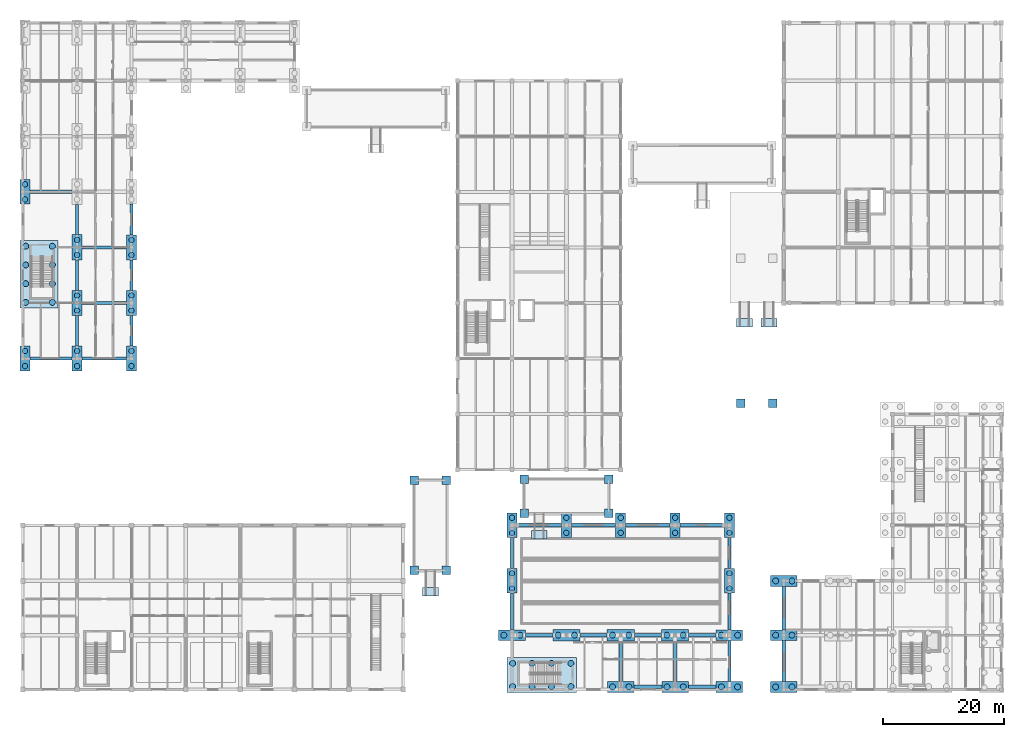
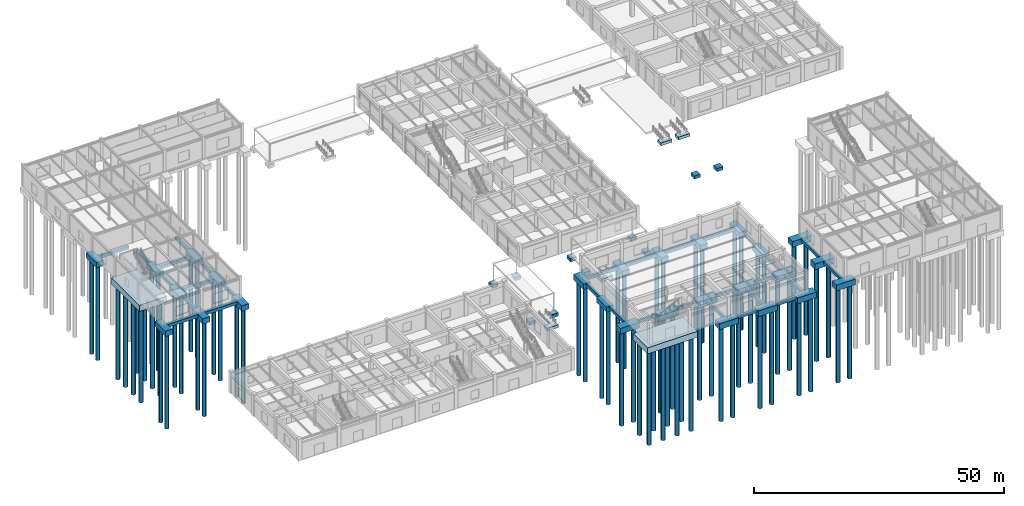
# One storey, part 1 of 76: 72 footings, 68 piles.
"""IFC4 building model written with IfcOpenShell, lengths in metres."""

from ifc_helpers import new_model, si_unit, direction, frame, origin, origin_2d, place, context, subcontext, project, spatial, rectangle, circle, extrude, material, material_profile, profile_set, type_object, element, save


model = new_model("IFC4")

# Units and contexts
model_context = context("Model", 3, precision=1e-05, world=origin(), true_north=direction((0.0, 1.0)))
body_context = subcontext(model_context, "Body", "Model", "MODEL_VIEW")
ifc_project = project(units=[si_unit("LENGTHUNIT", "METRE"), si_unit("AREAUNIT", "SQUARE_METRE"), si_unit("VOLUMEUNIT", "CUBIC_METRE"), si_unit("PLANEANGLEUNIT", "RADIAN"), si_unit("MASSUNIT", "GRAM", prefix="KILO")], contexts=[model_context])

# Site, building, storey
site_placement = place(None, origin())
site = spatial("IfcSite", under=ifc_project, at=site_placement, CompositionType="ELEMENT")
building_placement = place(site_placement, origin())
building = spatial("IfcBuilding", under=site, at=building_placement, Name="Bozkorgan Art Gallery", CompositionType="ELEMENT")
storey_placement = place(building_placement, origin())
storey = spatial("IfcBuildingStorey", under=building, at=storey_placement, Name="L00", CompositionType="ELEMENT", Elevation=0.0)

# Footings
ifc_material = material(Name="Concrete C30/37", Category="concrete")
ifc_material_profile_1 = material_profile(ifc_material, rectangle(XDim=0.550048828125, YDim=0.75, at=origin_2d()), Name="FND 550x750")
ifc_profile_set_1 = profile_set([ifc_material_profile_1], Name="Concrete C30/37")
footing_type_1 = type_object("IfcFootingType", Name="FOOTING-FB-58", PredefinedType="FOOTING_BEAM", material=ifc_profile_set_1)
footing_1_placement = place(storey_placement, frame((3.199951171875, 56.800048828125, -0.824951171875), z_axis=(1.0, 0.0, 0.0), x_axis=(0.0, 1.0, 0.0)))
element("IfcFooting", 1, at=footing_1_placement, inside=storey, type_object=footing_type_1, Name="V2 foundation tie beam X (2-11, 56.8)", PredefinedType="FOOTING_BEAM", context=body_context, shape_type="SweptSolid", body=[
    extrude(rectangle(XDim=0.550048828125, YDim=0.75, at=origin_2d()), origin(), (0.0, 0.0, 1.0), 6.97509765625),
])
footing_2_placement = place(storey_placement, frame((11.824951171875, 56.800048828125, -0.824951171875), z_axis=(1.0, 0.0, 0.0), x_axis=(0.0, 1.0, 0.0)))
element("IfcFooting", 2, at=footing_2_placement, inside=storey, type_object=footing_type_1, Name="V2 foundation tie beam X (11-20, 56.8)", PredefinedType="FOOTING_BEAM", context=body_context, shape_type="SweptSolid", body=[
    extrude(rectangle(XDim=0.550048828125, YDim=0.75, at=origin_2d()), origin(), (0.0, 0.0, 1.0), 7.35009765625),
])
for number, where, z_axis, x_axis, name in (
    (3, (11.85009765625, 66.0, -0.824951171875), (1.0, 0.0, 0.0), (0.0, 1.0, 0.0), "V2 foundation tie beam X (11-20, 66.0)"),
    (4, (11.85009765625, 75.199951171875, -0.824951171875), (1.0, 0.0, 0.0), (0.0, 1.0, 0.0), "V2 foundation tie beam X (11-20, 75.2)"),
):
    element("IfcFooting", number, at=place(storey_placement, frame(where, z_axis=z_axis, x_axis=x_axis)), inside=storey, type_object=footing_type_1, Name=name, PredefinedType="FOOTING_BEAM", context=body_context, shape_type="SweptSolid", body=[
        extrude(rectangle(XDim=0.550048828125, YDim=0.75, at=origin_2d()), origin(), (0.0, 0.0, 1.0), 7.324951171875),
    ])
footing_3_placement = place(storey_placement, frame((3.199951171875, 84.39990234375, -0.824951171875), z_axis=(1.0, 0.0, 0.0), x_axis=(0.0, 1.0, 0.0)))
element("IfcFooting", 5, at=footing_3_placement, inside=storey, type_object=footing_type_1, Name="V2 foundation tie beam X (2-11, 84.4)", PredefinedType="FOOTING_BEAM", context=body_context, shape_type="SweptSolid", body=[
    extrude(rectangle(XDim=0.550048828125, YDim=0.75, at=origin_2d()), origin(), (0.0, 0.0, 1.0), 6.949951171875),
])
footing_4_placement = place(storey_placement, frame((11.0, 58.85009765625, -0.824951171875), z_axis=(0.0, 1.0, 0.0), x_axis=(-1.0, 0.0, 0.0)))
element("IfcFooting", 6, at=footing_4_placement, inside=storey, type_object=footing_type_1, Name="V2 foundation tie beam Y (11, 56.8-66.0)", PredefinedType="FOOTING_BEAM", context=body_context, shape_type="SweptSolid", body=[
    extrude(rectangle(XDim=0.550048828125, YDim=0.75, at=origin_2d()), origin(), (0.0, 0.0, 1.0), 5.0498046875),
])
for number, where, z_axis, x_axis, name in (
    (7, (11.0, 68.10009765625, -0.824951171875), (0.0, 1.0, 0.0), (-1.0, 0.0, 0.0), "V2 foundation tie beam Y (11, 66.0-75.2)"),
    (8, (11.0, 77.300048828125, -0.824951171875), (0.0, 1.0, 0.0), (-1.0, 0.0, 0.0), "V2 foundation tie beam Y (11, 75.2-84.4)"),
):
    element("IfcFooting", number, at=place(storey_placement, frame(where, z_axis=z_axis, x_axis=x_axis)), inside=storey, type_object=footing_type_1, Name=name, PredefinedType="FOOTING_BEAM", context=body_context, shape_type="SweptSolid", body=[
        extrude(rectangle(XDim=0.550048828125, YDim=0.75, at=origin_2d()), origin(), (0.0, 0.0, 1.0), 5.0),
    ])
for number, where, z_axis, x_axis, name in (
    (9, (20.0, 58.85009765625, -0.824951171875), (0.0, 1.0, 0.0), (-1.0, 0.0, 0.0), "V2 foundation tie beam Y (20, 56.8-66.0)"),
    (10, (20.0, 68.050048828125, -0.824951171875), (0.0, 1.0, 0.0), (-1.0, 0.0, 0.0), "V2 foundation tie beam Y (20, 66.0-75.2)"),
):
    element("IfcFooting", number, at=place(storey_placement, frame(where, z_axis=z_axis, x_axis=x_axis)), inside=storey, type_object=footing_type_1, Name=name, PredefinedType="FOOTING_BEAM", context=body_context, shape_type="SweptSolid", body=[
        extrude(rectangle(XDim=0.550048828125, YDim=0.75, at=origin_2d()), origin(), (0.0, 0.0, 1.0), 5.099853515625),
    ])
footing_5_placement = place(storey_placement, frame((20.0, 77.25, -0.824951171875), z_axis=(0.0, 1.0, 0.0), x_axis=(-1.0, 0.0, 0.0)))
element("IfcFooting", 11, at=footing_5_placement, inside=storey, type_object=footing_type_1, Name="V2 foundation tie beam Y (20, 75.2-84.4)", PredefinedType="FOOTING_BEAM", context=body_context, shape_type="SweptSolid", body=[
    extrude(rectangle(XDim=0.550048828125, YDim=0.75, at=origin_2d()), origin(), (0.0, 0.0, 1.0), 5.10009765625),
])
for number, where, z_axis, x_axis, name in (
    (12, (103.199951171875, 2.449951171875, -0.824951171875), (1.0, 0.0, 0.0), (0.0, 1.0, 0.0), "V3 foundation tie beam X (101-110, 2.0)"),
    (13, (112.199951171875, 2.449951171875, -0.824951171875), (1.0, 0.0, 0.0), (0.0, 1.0, 0.0), "V3 foundation tie beam X (110-119, 2.0)"),
):
    element("IfcFooting", number, at=place(storey_placement, frame(where, z_axis=z_axis, x_axis=x_axis)), inside=storey, type_object=footing_type_1, Name=name, PredefinedType="FOOTING_BEAM", context=body_context, shape_type="SweptSolid", body=[
        extrude(rectangle(XDim=0.550048828125, YDim=0.75, at=origin_2d()), origin(), (0.0, 0.0, 1.0), 4.60009765625),
    ])
footing_6_placement = place(storey_placement, frame((85.199951171875, 11.0, -0.824951171875), z_axis=(1.0, 0.0, 0.0), x_axis=(0.0, 1.0, 0.0)))
element("IfcFooting", 14, at=footing_6_placement, inside=storey, type_object=footing_type_1, Name="V3 foundation tie beam X (83-92, 11.0)", PredefinedType="FOOTING_BEAM", context=body_context, shape_type="SweptSolid", body=[
    extrude(rectangle(XDim=0.550048828125, YDim=0.75, at=origin_2d()), origin(), (0.0, 0.0, 1.0), 4.550048828125),
])
for number, where, z_axis, x_axis, name in (
    (15, (94.25, 11.0, -0.824951171875), (1.0, 0.0, 0.0), (0.0, 1.0, 0.0), "V3 foundation tie beam X (92-101, 11.0)"),
    (16, (103.25, 11.0, -0.824951171875), (1.0, 0.0, 0.0), (0.0, 1.0, 0.0), "V3 foundation tie beam X (101-110, 11.0)"),
):
    element("IfcFooting", number, at=place(storey_placement, frame(where, z_axis=z_axis, x_axis=x_axis)), inside=storey, type_object=footing_type_1, Name=name, PredefinedType="FOOTING_BEAM", context=body_context, shape_type="SweptSolid", body=[
        extrude(rectangle(XDim=0.550048828125, YDim=0.75, at=origin_2d()), origin(), (0.0, 0.0, 1.0), 4.5),
    ])
footing_7_placement = place(storey_placement, frame((112.25, 11.0, -0.824951171875), z_axis=(1.0, 0.0, 0.0), x_axis=(0.0, 1.0, 0.0)))
element("IfcFooting", 17, at=footing_7_placement, inside=storey, type_object=footing_type_1, Name="V3 foundation tie beam X (110-119, 11.0)", PredefinedType="FOOTING_BEAM", context=body_context, shape_type="SweptSolid", body=[
    extrude(rectangle(XDim=0.550048828125, YDim=0.75, at=origin_2d()), origin(), (0.0, 0.0, 1.0), 4.550048828125),
])
for number, where, z_axis, x_axis, name in (
    (18, (83.824951171875, 29.199951171875, -0.824951171875), (1.0, 0.0, 0.0), (0.0, 1.0, 0.0), "V3 foundation tie beam X (83-92, 29.2)"),
    (19, (92.824951171875, 29.199951171875, -0.824951171875), (1.0, 0.0, 0.0), (0.0, 1.0, 0.0), "V3 foundation tie beam X (92-101, 29.2)"),
    (20, (101.824951171875, 29.199951171875, -0.824951171875), (1.0, 0.0, 0.0), (0.0, 1.0, 0.0), "V3 foundation tie beam X (101-110, 29.2)"),
    (21, (110.824951171875, 29.199951171875, -0.824951171875), (1.0, 0.0, 0.0), (0.0, 1.0, 0.0), "V3 foundation tie beam X (110-119, 29.2)"),
):
    element("IfcFooting", number, at=place(storey_placement, frame(where, z_axis=z_axis, x_axis=x_axis)), inside=storey, type_object=footing_type_1, Name=name, PredefinedType="FOOTING_BEAM", context=body_context, shape_type="SweptSolid", body=[
        extrude(rectangle(XDim=0.550048828125, YDim=0.75, at=origin_2d()), origin(), (0.0, 0.0, 1.0), 7.35009765625),
    ])
footing_8_placement = place(storey_placement, frame((83.0, 11.89990234375, -0.824951171875), z_axis=(0.0, 1.0, 0.0), x_axis=(-1.0, 0.0, 0.0)))
element("IfcFooting", 22, at=footing_8_placement, inside=storey, type_object=footing_type_1, Name="V3 foundation tie beam Y (83, 11.0-20.0)", PredefinedType="FOOTING_BEAM", context=body_context, shape_type="SweptSolid", body=[
    extrude(rectangle(XDim=0.550048828125, YDim=0.75, at=origin_2d()), origin(), (0.0, 0.0, 1.0), 6.050048828125),
])
footing_9_placement = place(storey_placement, frame((83.0, 22.050048828125, -0.824951171875), z_axis=(0.0, 1.0, 0.0), x_axis=(-1.0, 0.0, 0.0)))
element("IfcFooting", 23, at=footing_9_placement, inside=storey, type_object=footing_type_1, Name="V3 foundation tie beam Y (83, 20.0-29.2)", PredefinedType="FOOTING_BEAM", context=body_context, shape_type="SweptSolid", body=[
    extrude(rectangle(XDim=0.550048828125, YDim=0.75, at=origin_2d()), origin(), (0.0, 0.0, 1.0), 5.099853515625),
])
for number, where, z_axis, x_axis, name in (
    (24, (101.0, 3.35009765625, -0.824951171875), (0.0, 1.0, 0.0), (-1.0, 0.0, 0.0), "V3 foundation tie beam Y (101, 2.0-11.0)"),
    (25, (110.0, 3.35009765625, -0.824951171875), (0.0, 1.0, 0.0), (-1.0, 0.0, 0.0), "V3 foundation tie beam Y (110, 2.0-11.0)"),
):
    element("IfcFooting", number, at=place(storey_placement, frame(where, z_axis=z_axis, x_axis=x_axis)), inside=storey, type_object=footing_type_1, Name=name, PredefinedType="FOOTING_BEAM", context=body_context, shape_type="SweptSolid", body=[
        extrude(rectangle(XDim=0.550048828125, YDim=0.75, at=origin_2d()), origin(), (0.0, 0.0, 1.0), 6.724853515625),
    ])
footing_10_placement = place(storey_placement, frame((119.0, 3.35009765625, -0.824951171875), z_axis=(0.0, 1.0, 0.0), x_axis=(-1.0, 0.0, 0.0)))
element("IfcFooting", 26, at=footing_10_placement, inside=storey, type_object=footing_type_1, Name="V3 foundation tie beam Y (119, 2.0-11.0)", PredefinedType="FOOTING_BEAM", context=body_context, shape_type="SweptSolid", body=[
    extrude(rectangle(XDim=0.550048828125, YDim=0.75, at=origin_2d()), origin(), (0.0, 0.0, 1.0), 6.75),
])
footing_11_placement = place(storey_placement, frame((119.0, 11.89990234375, -0.824951171875), z_axis=(0.0, 1.0, 0.0), x_axis=(-1.0, 0.0, 0.0)))
element("IfcFooting", 27, at=footing_11_placement, inside=storey, type_object=footing_type_1, Name="V3 foundation tie beam Y (119, 11.0-20.0)", PredefinedType="FOOTING_BEAM", context=body_context, shape_type="SweptSolid", body=[
    extrude(rectangle(XDim=0.550048828125, YDim=0.75, at=origin_2d()), origin(), (0.0, 0.0, 1.0), 6.050048828125),
])
footing_12_placement = place(storey_placement, frame((119.0, 22.050048828125, -0.824951171875), z_axis=(0.0, 1.0, 0.0), x_axis=(-1.0, 0.0, 0.0)))
element("IfcFooting", 28, at=footing_12_placement, inside=storey, type_object=footing_type_1, Name="V3 foundation tie beam Y (119, 20.0-29.2)", PredefinedType="FOOTING_BEAM", context=body_context, shape_type="SweptSolid", body=[
    extrude(rectangle(XDim=0.550048828125, YDim=0.75, at=origin_2d()), origin(), (0.0, 0.0, 1.0), 5.099853515625),
])
footing_13_placement = place(storey_placement, frame((128.0, 3.35009765625, -0.824951171875), z_axis=(0.0, 1.0, 0.0), x_axis=(-1.0, 0.0, 0.0)))
element("IfcFooting", 29, at=footing_13_placement, inside=storey, type_object=footing_type_1, Name="V6 foundation tie beam Y (128, 2.0-11.0)", PredefinedType="FOOTING_BEAM", context=body_context, shape_type="SweptSolid", body=[
    extrude(rectangle(XDim=0.550048828125, YDim=0.75, at=origin_2d()), origin(), (0.0, 0.0, 1.0), 6.75),
])
footing_14_placement = place(storey_placement, frame((128.0, 11.89990234375, -0.824951171875), z_axis=(0.0, 1.0, 0.0), x_axis=(-1.0, 0.0, 0.0)))
element("IfcFooting", 30, at=footing_14_placement, inside=storey, type_object=footing_type_1, Name="V6 foundation tie beam Y (128, 11.0-20.0)", PredefinedType="FOOTING_BEAM", context=body_context, shape_type="SweptSolid", body=[
    extrude(rectangle(XDim=0.550048828125, YDim=0.75, at=origin_2d()), origin(), (0.0, 0.0, 1.0), 7.2001953125),
])
footing_type_2 = type_object("IfcFootingType", Name="FOOTING-PC-02", PredefinedType="PILE_CAP", material=ifc_material)
for number, where, z_axis, x_axis, name in (
    (31, (92.0, 11.0, -1.89990234375), (0.0, 0.0, 1.0), (1.0, 0.0, 0.0), "V3 pile cap (92.0, 11.0)"),
    (32, (101.0, 11.0, -1.89990234375), (0.0, 0.0, 1.0), (1.0, 0.0, 0.0), "V3 pile cap (101.0, 11.0)"),
    (33, (110.0, 11.0, -1.89990234375), (0.0, 0.0, 1.0), (1.0, 0.0, 0.0), "V3 pile cap (110.0, 11.0)"),
):
    element("IfcFooting", number, at=place(storey_placement, frame(where, z_axis=z_axis, x_axis=x_axis)), inside=storey, type_object=footing_type_2, Name=name, PredefinedType="PILE_CAP", context=body_context, shape_type="SweptSolid", body=[
        extrude(rectangle(XDim=4.5, YDim=1.85009765625, at=origin_2d()), origin(), (0.0, 0.0, 1.0), 1.449951171875),
    ])
footing_type_3 = type_object("IfcFootingType", Name="FOOTING-PC-35", PredefinedType="PILE_CAP", material=ifc_material)
for number, where, z_axis, x_axis, name in (
    (34, (2.375, 56.800048828125, -1.75), (0.0, 0.0, 1.0), (1.0, 0.0, 0.0), "V2 pile cap (2.0, 56.8)"),
    (35, (2.375, 84.39990234375, -1.75), (0.0, 0.0, 1.0), (1.0, 0.0, 0.0), "V2 pile cap (2.0, 84.4)"),
    (36, (11.0, 56.800048828125, -1.75), (0.0, 0.0, 1.0), (1.0, 0.0, 0.0), "V2 pile cap (11.0, 56.8)"),
    (37, (20.0, 56.800048828125, -1.75), (0.0, 0.0, 1.0), (1.0, 0.0, 0.0), "V2 pile cap (20.0, 56.8)"),
    (38, (20.0, 66.0, -1.75), (0.0, 0.0, 1.0), (1.0, 0.0, 0.0), "V2 pile cap (20.0, 66.0)"),
    (39, (20.0, 75.199951171875, -1.75), (0.0, 0.0, 1.0), (1.0, 0.0, 0.0), "V2 pile cap (20.0, 75.2)"),
    (40, (83.0, 20.0, -1.75), (0.0, 0.0, 1.0), (1.0, 0.0, 0.0), "V3 pile cap (83.0, 20.0)"),
    (41, (83.0, 29.199951171875, -1.75), (0.0, 0.0, 1.0), (1.0, 0.0, 0.0), "V3 pile cap (83.0, 29.2)"),
    (42, (92.0, 29.199951171875, -1.75), (0.0, 0.0, 1.0), (1.0, 0.0, 0.0), "V3 pile cap (92.0, 29.2)"),
    (43, (101.0, 29.199951171875, -1.75), (0.0, 0.0, 1.0), (1.0, 0.0, 0.0), "V3 pile cap (101.0, 29.2)"),
    (44, (110.0, 29.199951171875, -1.75), (0.0, 0.0, 1.0), (1.0, 0.0, 0.0), "V3 pile cap (110.0, 29.2)"),
    (45, (119.0, 20.0, -1.75), (0.0, 0.0, 1.0), (1.0, 0.0, 0.0), "V3 pile cap (119.0, 20.0)"),
    (46, (119.0, 29.199951171875, -1.75), (0.0, 0.0, 1.0), (1.0, 0.0, 0.0), "V3 pile cap (119.0, 29.2)"),
):
    element("IfcFooting", number, at=place(storey_placement, frame(where, z_axis=z_axis, x_axis=x_axis)), inside=storey, type_object=footing_type_3, Name=name, PredefinedType="PILE_CAP", context=body_context, shape_type="SweptSolid", body=[
        extrude(rectangle(XDim=1.64990234375, YDim=4.10009765625, at=origin_2d()), origin(), (0.0, 0.0, 1.0), 1.300048828125),
    ])
footing_type_4 = type_object("IfcFootingType", Name="FOOTING-PC-36", PredefinedType="PILE_CAP", material=ifc_material)
footing_15_placement = place(storey_placement, frame((4.699951171875, 70.75, -1.949951171875), z_axis=(0.0, 0.0, 1.0), x_axis=(1.0, 0.0, 0.0)))
element("IfcFooting", 47, at=footing_15_placement, inside=storey, type_object=footing_type_4, Name="CORE5 combined core pile cap", PredefinedType="PILE_CAP", context=body_context, shape_type="SweptSolid", body=[
    extrude(rectangle(XDim=6.300048828125, YDim=11.199951171875, at=origin_2d()), origin(), (0.0, 0.0, 1.0), 1.5),
])
footing_type_5 = type_object("IfcFootingType", Name="FOOTING-PC-45", PredefinedType="PILE_CAP", material=ifc_material)
footing_16_placement = place(storey_placement, frame((87.925048828125, 4.425048828125, -1.949951171875), z_axis=(0.0, 0.0, 1.0), x_axis=(1.0, 0.0, 0.0)))
element("IfcFooting", 48, at=footing_16_placement, inside=storey, type_object=footing_type_5, Name="CORE6 combined core pile cap", PredefinedType="PILE_CAP", context=body_context, shape_type="SweptSolid", body=[
    extrude(rectangle(XDim=11.550048828125, YDim=5.75, at=origin_2d()), origin(), (0.0, 0.0, 1.0), 1.5),
])
footing_type_6 = type_object("IfcFootingType", Name="FOOTING-PC-69", PredefinedType="PILE_CAP", material=ifc_material)
for number, where, z_axis, x_axis, name in (
    (49, (83.0, 11.0, -1.849853515625), (0.0, 0.0, 1.0), (1.0, 0.0, 0.0), "V3 pile cap (83.0, 11.0)"),
    (50, (101.0, 2.449951171875, -1.849853515625), (0.0, 0.0, 1.0), (1.0, 0.0, 0.0), "V3 pile cap (101.0, 2.0)"),
    (51, (110.0, 2.449951171875, -1.849853515625), (0.0, 0.0, 1.0), (1.0, 0.0, 0.0), "V3 pile cap (110.0, 2.0)"),
    (52, (119.0, 2.449951171875, -1.849853515625), (0.0, 0.0, 1.0), (1.0, 0.0, 0.0), "V3 pile cap (119.0, 2.0)"),
    (53, (119.0, 11.0, -1.849853515625), (0.0, 0.0, 1.0), (1.0, 0.0, 0.0), "V3 pile cap (119.0, 11.0)"),
    (54, (128.0, 2.449951171875, -1.849853515625), (0.0, 0.0, 1.0), (1.0, 0.0, 0.0), "V6 pile cap (128.0, 2.0)"),
    (55, (128.0, 11.0, -1.849853515625), (0.0, 0.0, 1.0), (1.0, 0.0, 0.0), "V6 pile cap (128.0, 11.0)"),
    (56, (128.0, 20.0, -1.849853515625), (0.0, 0.0, 1.0), (1.0, 0.0, 0.0), "V6 pile cap (128.0, 20.0)"),
):
    element("IfcFooting", number, at=place(storey_placement, frame(where, z_axis=z_axis, x_axis=x_axis)), inside=storey, type_object=footing_type_6, Name=name, PredefinedType="PILE_CAP", context=body_context, shape_type="SweptSolid", body=[
        extrude(rectangle(XDim=4.39990234375, YDim=1.800048828125, at=origin_2d()), origin(), (0.0, 0.0, 1.0), 1.39990234375),
    ])
footing_type_7 = type_object("IfcFootingType", Name="FOOTING-PC-92", PredefinedType="PILE_CAP", material=ifc_material)
for number, where, z_axis, x_axis, name in (
    (57, (11.0, 66.0, -1.800048828125), (0.0, 0.0, 1.0), (1.0, 0.0, 0.0), "V2 pile cap (11.0, 66.0)"),
    (58, (11.0, 75.199951171875, -1.800048828125), (0.0, 0.0, 1.0), (1.0, 0.0, 0.0), "V2 pile cap (11.0, 75.2)"),
):
    element("IfcFooting", number, at=place(storey_placement, frame(where, z_axis=z_axis, x_axis=x_axis)), inside=storey, type_object=footing_type_7, Name=name, PredefinedType="PILE_CAP", context=body_context, shape_type="SweptSolid", body=[
        extrude(rectangle(XDim=1.699951171875, YDim=4.199951171875, at=origin_2d()), origin(), (0.0, 0.0, 1.0), 1.35009765625),
    ])
footing_type_8 = type_object("IfcFootingType", Name="FOOTING-PF-27", PredefinedType="PAD_FOOTING", material=ifc_material)
for number, where, z_axis, x_axis, name in (
    (59, (66.85009765625, 21.75, -1.240234375), (0.0, 0.0, 1.0), (1.0, 0.0, 0.0), "West Water-Court Covered Walk pad footing 1"),
    (60, (72.14990234375, 21.75, -1.240234375), (0.0, 0.0, 1.0), (1.0, 0.0, 0.0), "West Water-Court Covered Walk pad footing 2"),
    (61, (72.14990234375, 36.64990234375, -1.240234375), (0.0, 0.0, 1.0), (1.0, 0.0, 0.0), "West Water-Court Covered Walk pad footing 3"),
    (62, (66.85009765625, 36.64990234375, -1.240234375), (0.0, 0.0, 1.0), (1.0, 0.0, 0.0), "West Water-Court Covered Walk pad footing 4"),
    (63, (85.0, 31.199951171875, -1.240234375), (0.0, 0.0, 1.0), (1.0, 0.0, 0.0), "Auditorium Foyer Covered Walk pad footing 1"),
    (64, (99.0, 31.199951171875, -1.240234375), (0.0, 0.0, 1.0), (1.0, 0.0, 0.0), "Auditorium Foyer Covered Walk pad footing 2"),
    (65, (99.0, 36.85009765625, -1.240234375), (0.0, 0.0, 1.0), (1.0, 0.0, 0.0), "Auditorium Foyer Covered Walk pad footing 3"),
    (66, (85.0, 36.85009765625, -1.240234375), (0.0, 0.0, 1.0), (1.0, 0.0, 0.0), "Auditorium Foyer Covered Walk pad footing 4"),
    (67, (120.89990234375, 49.39990234375, -1.22021484375), (0.0, 0.0, 1.0), (1.0, 0.0, 0.0), "Loading Dock Apron pad footing 1"),
    (68, (126.14990234375, 49.39990234375, -1.22021484375), (0.0, 0.0, 1.0), (1.0, 0.0, 0.0), "Loading Dock Apron pad footing 2"),
):
    element("IfcFooting", number, at=place(storey_placement, frame(where, z_axis=z_axis, x_axis=x_axis)), inside=storey, type_object=footing_type_8, Name=name, PredefinedType="PAD_FOOTING", context=body_context, shape_type="SweptSolid", body=[
        extrude(rectangle(XDim=1.39990234375, YDim=1.39990234375, at=origin_2d()), origin(), (0.0, 0.0, 1.0), 0.800048828125),
    ])
footing_type_9 = type_object("IfcFootingType", Name="FOOTING-RMP-PAD", PredefinedType="PAD_FOOTING", material=ifc_material)
for number, where, z_axis, x_axis, name in (
    (69, (69.5, 18.160888671875, -1.169921875), (0.0, 0.0, 1.0), (0.0, 1.0, 0.0), "West Water-Court Walk Accessible Ramp toe footing"),
    (70, (87.5, 27.61083984375, -1.169921875), (0.0, 0.0, 1.0), (0.0, 1.0, 0.0), "Auditorium Walk Accessible Ramp toe footing"),
    (71, (121.5, 62.7607421875, -1.169921875), (0.0, 0.0, 1.0), (0.0, 1.0, 0.0), "North Plinth Step-Free Pedestrian Ramp W toe footing"),
    (72, (125.550048828125, 62.7607421875, -1.169921875), (0.0, 0.0, 1.0), (0.0, 1.0, 0.0), "North Plinth Step-Free Pedestrian Ramp E toe footing"),
):
    element("IfcFooting", number, at=place(storey_placement, frame(where, z_axis=z_axis, x_axis=x_axis)), inside=storey, type_object=footing_type_9, Name=name, PredefinedType="PAD_FOOTING", context=body_context, shape_type="SweptSolid", body=[
        extrude(rectangle(XDim=1.39990234375, YDim=2.60009765625, at=origin_2d()), origin(), (0.0, 0.0, 1.0), 0.699951171875),
    ])

# Piles
ifc_material_profile_2 = material_profile(ifc_material, circle(Radius=0.5, at=origin_2d()), Name="PILE D1000")
ifc_profile_set_2 = profile_set([ifc_material_profile_2], Name="Concrete C30/37")
pile_type_1 = type_object("IfcPileType", Name="PILE-P-36", PredefinedType="BORED", material=ifc_profile_set_2)
for number, where, z_axis, x_axis, name in (
    (73, (2.5, 66.10009765625, -1.85009765625), (0.0, 0.0, -1.0), (1.0, 0.0, 0.0), "CORE5 bored pile 1"),
    (74, (2.5, 69.199951171875, -1.85009765625), (0.0, 0.0, -1.0), (1.0, 0.0, 0.0), "CORE5 bored pile 2"),
    (75, (2.5, 72.300048828125, -1.85009765625), (0.0, 0.0, -1.0), (1.0, 0.0, 0.0), "CORE5 bored pile 3"),
    (76, (2.5, 75.39990234375, -1.85009765625), (0.0, 0.0, -1.0), (1.0, 0.0, 0.0), "CORE5 bored pile 4"),
    (77, (6.89990234375, 66.10009765625, -1.85009765625), (0.0, 0.0, -1.0), (1.0, 0.0, 0.0), "CORE5 bored pile 5"),
    (78, (6.89990234375, 69.199951171875, -1.85009765625), (0.0, 0.0, -1.0), (1.0, 0.0, 0.0), "CORE5 bored pile 6"),
    (79, (6.89990234375, 72.300048828125, -1.85009765625), (0.0, 0.0, -1.0), (1.0, 0.0, 0.0), "CORE5 bored pile 7"),
    (80, (6.89990234375, 75.39990234375, -1.85009765625), (0.0, 0.0, -1.0), (1.0, 0.0, 0.0), "CORE5 bored pile 8"),
    (81, (83.10009765625, 2.5, -1.85009765625), (0.0, 0.0, -1.0), (1.0, 0.0, 0.0), "CORE6 bored pile 1"),
    (82, (83.10009765625, 6.35009765625, -1.85009765625), (0.0, 0.0, -1.0), (1.0, 0.0, 0.0), "CORE6 bored pile 2"),
    (83, (86.316650390625, 2.5, -1.85009765625), (0.0, 0.0, -1.0), (1.0, 0.0, 0.0), "CORE6 bored pile 3"),
    (84, (86.316650390625, 6.35009765625, -1.85009765625), (0.0, 0.0, -1.0), (1.0, 0.0, 0.0), "CORE6 bored pile 4"),
    (85, (89.533203125, 2.5, -1.85009765625), (0.0, 0.0, -1.0), (1.0, 0.0, 0.0), "CORE6 bored pile 5"),
    (86, (89.533203125, 6.35009765625, -1.85009765625), (0.0, 0.0, -1.0), (1.0, 0.0, 0.0), "CORE6 bored pile 6"),
    (87, (92.75, 2.5, -1.85009765625), (0.0, 0.0, -1.0), (1.0, 0.0, 0.0), "CORE6 bored pile 7"),
    (88, (92.75, 6.35009765625, -1.85009765625), (0.0, 0.0, -1.0), (1.0, 0.0, 0.0), "CORE6 bored pile 8"),
):
    element("IfcPile", number, at=place(storey_placement, frame(where, z_axis=z_axis, x_axis=x_axis)), inside=storey, type_object=pile_type_1, Name=name, PredefinedType="BORED", context=body_context, shape_type="SweptSolid", body=[
        extrude(circle(Radius=0.5, at=origin_2d()), origin(), (0.0, 0.0, 1.0), 22.949951171875),
    ])
for number, where, z_axis, x_axis, name in (
    (89, (81.64990234375, 11.0, -1.75), (0.0, 0.0, -1.0), (1.0, 0.0, 0.0), "V3 pile (83.0, 11.0) #1"),
    (90, (84.35009765625, 11.0, -1.75), (0.0, 0.0, -1.0), (1.0, 0.0, 0.0), "V3 pile (83.0, 11.0) #2"),
):
    element("IfcPile", number, at=place(storey_placement, frame(where, z_axis=z_axis, x_axis=x_axis)), inside=storey, type_object=pile_type_1, Name=name, PredefinedType="BORED", context=body_context, shape_type="SweptSolid", body=[
        extrude(circle(Radius=0.5, at=origin_2d()), origin(), (0.0, 0.0, 1.0), 23.050048828125),
    ])
for number, where, z_axis, x_axis, name in (
    (91, (90.64990234375, 11.0, -1.800048828125), (0.0, 0.0, -1.0), (1.0, 0.0, 0.0), "V3 pile (92.0, 11.0) #1"),
    (92, (93.35009765625, 11.0, -1.800048828125), (0.0, 0.0, -1.0), (1.0, 0.0, 0.0), "V3 pile (92.0, 11.0) #2"),
):
    element("IfcPile", number, at=place(storey_placement, frame(where, z_axis=z_axis, x_axis=x_axis)), inside=storey, type_object=pile_type_1, Name=name, PredefinedType="BORED", context=body_context, shape_type="SweptSolid", body=[
        extrude(circle(Radius=0.5, at=origin_2d()), origin(), (0.0, 0.0, 1.0), 23.0),
    ])
for number, where, z_axis, x_axis, name in (
    (93, (99.64990234375, 2.449951171875, -1.75), (0.0, 0.0, -1.0), (1.0, 0.0, 0.0), "V3 pile (101.0, 2.0) #1"),
    (94, (102.35009765625, 2.449951171875, -1.75), (0.0, 0.0, -1.0), (1.0, 0.0, 0.0), "V3 pile (101.0, 2.0) #2"),
):
    element("IfcPile", number, at=place(storey_placement, frame(where, z_axis=z_axis, x_axis=x_axis)), inside=storey, type_object=pile_type_1, Name=name, PredefinedType="BORED", context=body_context, shape_type="SweptSolid", body=[
        extrude(circle(Radius=0.5, at=origin_2d()), origin(), (0.0, 0.0, 1.0), 23.050048828125),
    ])
for number, where, z_axis, x_axis, name in (
    (95, (99.64990234375, 11.0, -1.800048828125), (0.0, 0.0, -1.0), (1.0, 0.0, 0.0), "V3 pile (101.0, 11.0) #1"),
    (96, (102.35009765625, 11.0, -1.800048828125), (0.0, 0.0, -1.0), (1.0, 0.0, 0.0), "V3 pile (101.0, 11.0) #2"),
):
    element("IfcPile", number, at=place(storey_placement, frame(where, z_axis=z_axis, x_axis=x_axis)), inside=storey, type_object=pile_type_1, Name=name, PredefinedType="BORED", context=body_context, shape_type="SweptSolid", body=[
        extrude(circle(Radius=0.5, at=origin_2d()), origin(), (0.0, 0.0, 1.0), 23.0),
    ])
for number, where, z_axis, x_axis, name in (
    (97, (108.64990234375, 2.449951171875, -1.75), (0.0, 0.0, -1.0), (1.0, 0.0, 0.0), "V3 pile (110.0, 2.0) #1"),
    (98, (111.35009765625, 2.449951171875, -1.75), (0.0, 0.0, -1.0), (1.0, 0.0, 0.0), "V3 pile (110.0, 2.0) #2"),
):
    element("IfcPile", number, at=place(storey_placement, frame(where, z_axis=z_axis, x_axis=x_axis)), inside=storey, type_object=pile_type_1, Name=name, PredefinedType="BORED", context=body_context, shape_type="SweptSolid", body=[
        extrude(circle(Radius=0.5, at=origin_2d()), origin(), (0.0, 0.0, 1.0), 23.050048828125),
    ])
for number, where, z_axis, x_axis, name in (
    (99, (108.64990234375, 11.0, -1.800048828125), (0.0, 0.0, -1.0), (1.0, 0.0, 0.0), "V3 pile (110.0, 11.0) #1"),
    (100, (111.35009765625, 11.0, -1.800048828125), (0.0, 0.0, -1.0), (1.0, 0.0, 0.0), "V3 pile (110.0, 11.0) #2"),
):
    element("IfcPile", number, at=place(storey_placement, frame(where, z_axis=z_axis, x_axis=x_axis)), inside=storey, type_object=pile_type_1, Name=name, PredefinedType="BORED", context=body_context, shape_type="SweptSolid", body=[
        extrude(circle(Radius=0.5, at=origin_2d()), origin(), (0.0, 0.0, 1.0), 23.0),
    ])
for number, where, z_axis, x_axis, name in (
    (101, (117.64990234375, 2.449951171875, -1.75), (0.0, 0.0, -1.0), (1.0, 0.0, 0.0), "V3 pile (119.0, 2.0) #1"),
    (102, (120.35009765625, 2.449951171875, -1.75), (0.0, 0.0, -1.0), (1.0, 0.0, 0.0), "V3 pile (119.0, 2.0) #2"),
    (103, (117.64990234375, 11.0, -1.75), (0.0, 0.0, -1.0), (1.0, 0.0, 0.0), "V3 pile (119.0, 11.0) #1"),
    (104, (120.35009765625, 11.0, -1.75), (0.0, 0.0, -1.0), (1.0, 0.0, 0.0), "V3 pile (119.0, 11.0) #2"),
    (105, (126.64990234375, 2.449951171875, -1.75), (0.0, 0.0, -1.0), (1.0, 0.0, 0.0), "V6 pile (128.0, 2.0) #1"),
    (106, (129.35009765625, 2.449951171875, -1.75), (0.0, 0.0, -1.0), (1.0, 0.0, 0.0), "V6 pile (128.0, 2.0) #2"),
    (107, (126.64990234375, 11.0, -1.75), (0.0, 0.0, -1.0), (1.0, 0.0, 0.0), "V6 pile (128.0, 11.0) #1"),
    (108, (129.35009765625, 11.0, -1.75), (0.0, 0.0, -1.0), (1.0, 0.0, 0.0), "V6 pile (128.0, 11.0) #2"),
    (109, (126.64990234375, 20.0, -1.75), (0.0, 0.0, -1.0), (1.0, 0.0, 0.0), "V6 pile (128.0, 20.0) #1"),
    (110, (129.35009765625, 20.0, -1.75), (0.0, 0.0, -1.0), (1.0, 0.0, 0.0), "V6 pile (128.0, 20.0) #2"),
):
    element("IfcPile", number, at=place(storey_placement, frame(where, z_axis=z_axis, x_axis=x_axis)), inside=storey, type_object=pile_type_1, Name=name, PredefinedType="BORED", context=body_context, shape_type="SweptSolid", body=[
        extrude(circle(Radius=0.5, at=origin_2d()), origin(), (0.0, 0.0, 1.0), 23.050048828125),
    ])
ifc_material_profile_3 = material_profile(ifc_material, circle(Radius=0.449951171875, at=origin_2d()), Name="PILE D900")
ifc_profile_set_3 = profile_set([ifc_material_profile_3], Name="Concrete C30/37")
pile_type_2 = type_object("IfcPileType", Name="PILE-P-65", PredefinedType="BORED", material=ifc_profile_set_3)
for number, where, z_axis, x_axis, name in (
    (111, (2.375, 55.550048828125, -1.64990234375), (0.0, 0.0, -1.0), (1.0, 0.0, 0.0), "V2 pile (2.0, 56.8) #1"),
    (112, (2.375, 58.050048828125, -1.64990234375), (0.0, 0.0, -1.0), (1.0, 0.0, 0.0), "V2 pile (2.0, 56.8) #2"),
    (113, (2.375, 83.14990234375, -1.64990234375), (0.0, 0.0, -1.0), (1.0, 0.0, 0.0), "V2 pile (2.0, 84.4) #1"),
    (114, (2.375, 85.64990234375, -1.64990234375), (0.0, 0.0, -1.0), (1.0, 0.0, 0.0), "V2 pile (2.0, 84.4) #2"),
    (115, (11.0, 55.550048828125, -1.64990234375), (0.0, 0.0, -1.0), (1.0, 0.0, 0.0), "V2 pile (11.0, 56.8) #1"),
    (116, (11.0, 58.050048828125, -1.64990234375), (0.0, 0.0, -1.0), (1.0, 0.0, 0.0), "V2 pile (11.0, 56.8) #2"),
):
    element("IfcPile", number, at=place(storey_placement, frame(where, z_axis=z_axis, x_axis=x_axis)), inside=storey, type_object=pile_type_2, Name=name, PredefinedType="BORED", context=body_context, shape_type="SweptSolid", body=[
        extrude(circle(Radius=0.449951171875, at=origin_2d()), origin(), (0.0, 0.0, 1.0), 23.14990234375),
    ])
for number, where, z_axis, x_axis, name in (
    (117, (11.0, 64.75, -1.699951171875), (0.0, 0.0, -1.0), (1.0, 0.0, 0.0), "V2 pile (11.0, 66.0) #1"),
    (118, (11.0, 67.25, -1.699951171875), (0.0, 0.0, -1.0), (1.0, 0.0, 0.0), "V2 pile (11.0, 66.0) #2"),
    (119, (11.0, 73.949951171875, -1.699951171875), (0.0, 0.0, -1.0), (1.0, 0.0, 0.0), "V2 pile (11.0, 75.2) #1"),
    (120, (11.0, 76.449951171875, -1.699951171875), (0.0, 0.0, -1.0), (1.0, 0.0, 0.0), "V2 pile (11.0, 75.2) #2"),
):
    element("IfcPile", number, at=place(storey_placement, frame(where, z_axis=z_axis, x_axis=x_axis)), inside=storey, type_object=pile_type_2, Name=name, PredefinedType="BORED", context=body_context, shape_type="SweptSolid", body=[
        extrude(circle(Radius=0.449951171875, at=origin_2d()), origin(), (0.0, 0.0, 1.0), 23.10009765625),
    ])
for number, where, z_axis, x_axis, name in (
    (121, (20.0, 55.550048828125, -1.64990234375), (0.0, 0.0, -1.0), (1.0, 0.0, 0.0), "V2 pile (20.0, 56.8) #1"),
    (122, (20.0, 58.050048828125, -1.64990234375), (0.0, 0.0, -1.0), (1.0, 0.0, 0.0), "V2 pile (20.0, 56.8) #2"),
    (123, (20.0, 64.75, -1.64990234375), (0.0, 0.0, -1.0), (1.0, 0.0, 0.0), "V2 pile (20.0, 66.0) #1"),
    (124, (20.0, 67.25, -1.64990234375), (0.0, 0.0, -1.0), (1.0, 0.0, 0.0), "V2 pile (20.0, 66.0) #2"),
    (125, (20.0, 73.949951171875, -1.64990234375), (0.0, 0.0, -1.0), (1.0, 0.0, 0.0), "V2 pile (20.0, 75.2) #1"),
    (126, (20.0, 76.449951171875, -1.64990234375), (0.0, 0.0, -1.0), (1.0, 0.0, 0.0), "V2 pile (20.0, 75.2) #2"),
    (127, (83.0, 18.75, -1.64990234375), (0.0, 0.0, -1.0), (1.0, 0.0, 0.0), "V3 pile (83.0, 20.0) #1"),
    (128, (83.0, 21.25, -1.64990234375), (0.0, 0.0, -1.0), (1.0, 0.0, 0.0), "V3 pile (83.0, 20.0) #2"),
    (129, (83.0, 27.949951171875, -1.64990234375), (0.0, 0.0, -1.0), (1.0, 0.0, 0.0), "V3 pile (83.0, 29.2) #1"),
    (130, (83.0, 30.449951171875, -1.64990234375), (0.0, 0.0, -1.0), (1.0, 0.0, 0.0), "V3 pile (83.0, 29.2) #2"),
    (131, (92.0, 27.949951171875, -1.64990234375), (0.0, 0.0, -1.0), (1.0, 0.0, 0.0), "V3 pile (92.0, 29.2) #1"),
    (132, (92.0, 30.449951171875, -1.64990234375), (0.0, 0.0, -1.0), (1.0, 0.0, 0.0), "V3 pile (92.0, 29.2) #2"),
    (133, (101.0, 27.949951171875, -1.64990234375), (0.0, 0.0, -1.0), (1.0, 0.0, 0.0), "V3 pile (101.0, 29.2) #1"),
    (134, (101.0, 30.449951171875, -1.64990234375), (0.0, 0.0, -1.0), (1.0, 0.0, 0.0), "V3 pile (101.0, 29.2) #2"),
    (135, (110.0, 27.949951171875, -1.64990234375), (0.0, 0.0, -1.0), (1.0, 0.0, 0.0), "V3 pile (110.0, 29.2) #1"),
    (136, (110.0, 30.449951171875, -1.64990234375), (0.0, 0.0, -1.0), (1.0, 0.0, 0.0), "V3 pile (110.0, 29.2) #2"),
    (137, (119.0, 18.75, -1.64990234375), (0.0, 0.0, -1.0), (1.0, 0.0, 0.0), "V3 pile (119.0, 20.0) #1"),
    (138, (119.0, 21.25, -1.64990234375), (0.0, 0.0, -1.0), (1.0, 0.0, 0.0), "V3 pile (119.0, 20.0) #2"),
    (139, (119.0, 27.949951171875, -1.64990234375), (0.0, 0.0, -1.0), (1.0, 0.0, 0.0), "V3 pile (119.0, 29.2) #1"),
    (140, (119.0, 30.449951171875, -1.64990234375), (0.0, 0.0, -1.0), (1.0, 0.0, 0.0), "V3 pile (119.0, 29.2) #2"),
):
    element("IfcPile", number, at=place(storey_placement, frame(where, z_axis=z_axis, x_axis=x_axis)), inside=storey, type_object=pile_type_2, Name=name, PredefinedType="BORED", context=body_context, shape_type="SweptSolid", body=[
        extrude(circle(Radius=0.449951171875, at=origin_2d()), origin(), (0.0, 0.0, 1.0), 23.14990234375),
    ])

save(model, "model.ifc")
